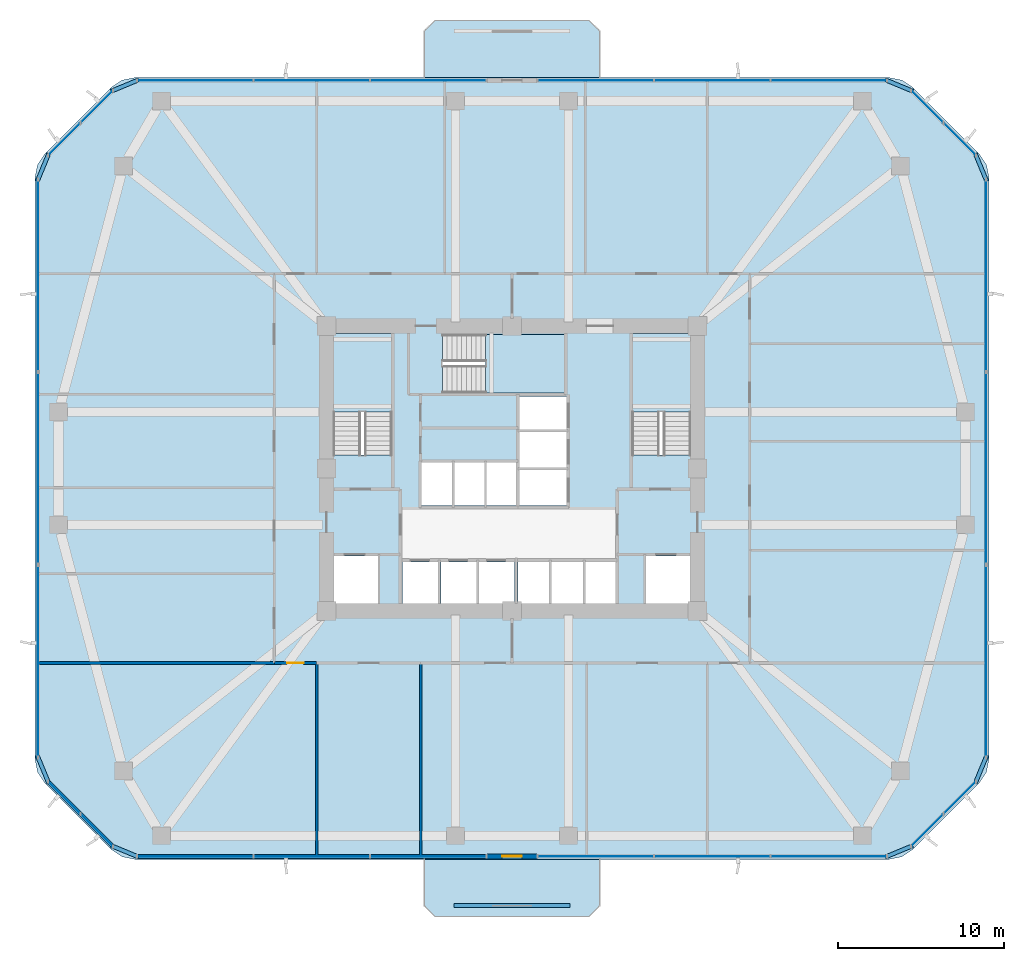
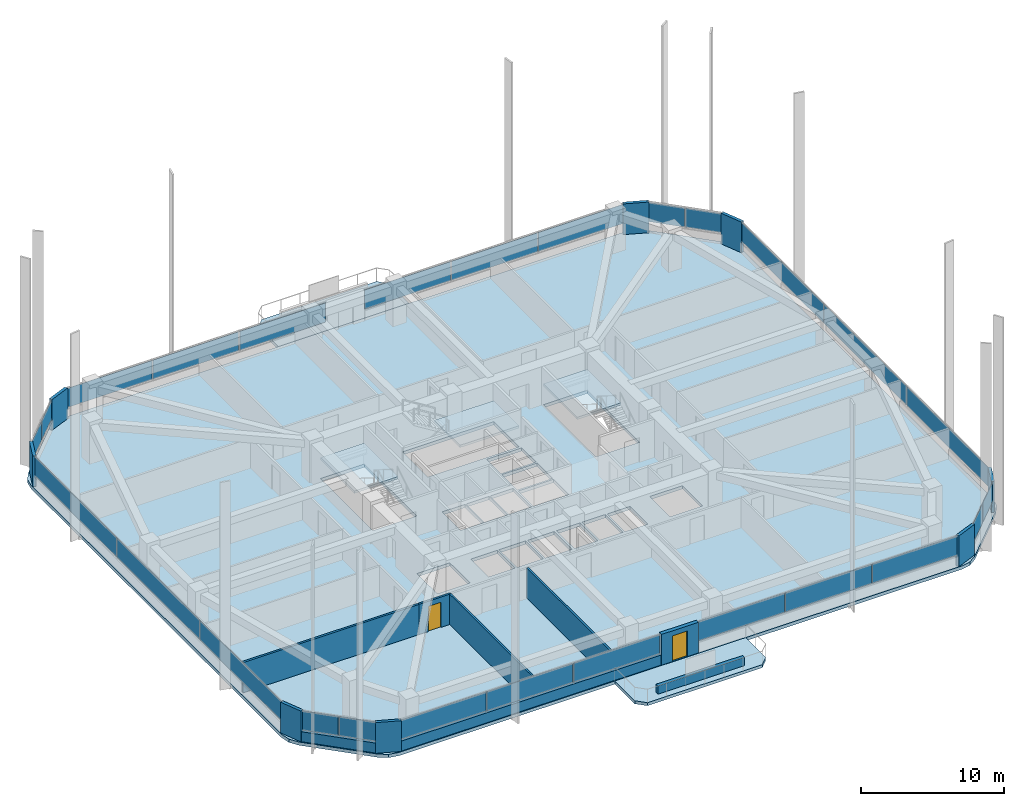
# One storey, part 8 of 17: 34 plates, 8 walls, 6 slabs, 2 doors, 2 openings, 13 elements without a shape of their own.
"""IFC4 building model written with IfcOpenShell, lengths in metres."""

from ifc_helpers import new_model, si_unit, derived_unit, direction, frame, frame_2d, origin, origin_2d, place, context, subcontext, project, spatial, polyline, rectangle, outline, extrude, material, layer, layer_set, type_object, element, fill, aggregate, save


model = new_model("IFC4")

# Units and contexts
model_context = context("Model", 3, precision=1e-05, world=origin(), true_north=direction((0.0, 1.0)))
body_context = subcontext(model_context, "Body", "Model", "MODEL_VIEW")
ifc_project = project(units=[si_unit("LENGTHUNIT", "METRE"), si_unit("AREAUNIT", "SQUARE_METRE"), si_unit("VOLUMEUNIT", "CUBIC_METRE"), si_unit("PLANEANGLEUNIT", "RADIAN"), si_unit("MASSUNIT", "GRAM", prefix="KILO"), derived_unit("THERMALTRANSMITTANCEUNIT", [(si_unit("POWERUNIT", "WATT"), 1), (si_unit("LENGTHUNIT", "METRE"), -2), (si_unit("THERMODYNAMICTEMPERATUREUNIT", "KELVIN"), -1)])], contexts=[model_context])

# Site, building, storey
site_placement = place(None, origin())
site = spatial("IfcSite", under=ifc_project, at=site_placement, CompositionType="ELEMENT")
building_placement = place(site_placement, origin())
building = spatial("IfcBuilding", under=site, at=building_placement, Name="Koralith Skygarden Medical Center", CompositionType="ELEMENT")
storey_placement = place(building_placement, frame((0.0, 0.0, 67.139892578125)))
storey = spatial("IfcBuildingStorey", under=building, at=storey_placement, Name="L17", CompositionType="ELEMENT", Elevation=67.139892578125)

# Curtain wall, plates
ifc_material_1 = material(Name="Clear Laminated Glass", Category="glass")
curtain_wall_type = type_object("IfcCurtainWallType", Name="CW-2 Zone 1 Hurricane Unitised Curtain Wall", PredefinedType="NOTDEFINED", material=ifc_material_1)
curtain_wall_1_placement = place(storey_placement, origin())
curtain_wall_1 = element("IfcCurtainWall", 1, at=curtain_wall_1_placement, inside=storey, type_object=curtain_wall_type, Name="Curtain Wall CW-L17-S-L", PredefinedType="NOTDEFINED")
ifc_layer_1 = layer(ifc_material_1, 0.031982421875)
ifc_layer_set_1 = layer_set([ifc_layer_1], Name="Clear Laminated Glass")
plate_type_1 = type_object("IfcPlateType", Name="CW-2 Hurricane Laminated IGU Panel 32", PredefinedType="CURTAIN_PANEL", material=ifc_layer_set_1)
plate_1_placement = place(storey_placement, frame((17.873046875, 2.47998046875, 0.919921875), z_axis=(0.0, 0.0, 1.0), x_axis=(1.0, 0.0, 0.0)))
plate_1 = element("IfcPlate", 2, at=plate_1_placement, type_object=plate_type_1, Name="CW-L17-S-L Glazed Panel 1", PredefinedType="CURTAIN_PANEL", context=body_context, shape_type="SweptSolid", body=[
    extrude(rectangle(XDim=6.945068359375, YDim=0.031982421875, at=origin_2d()), origin(), (0.0, 0.0, 1.0), 1.639892578125),
])
plate_2_placement = place(storey_placement, frame((24.906982421875, 2.47998046875, 0.919921875), z_axis=(0.0, 0.0, 1.0), x_axis=(1.0, 0.0, 0.0)))
plate_2 = element("IfcPlate", 3, at=plate_2_placement, type_object=plate_type_1, Name="CW-L17-S-L Glazed Panel 2", PredefinedType="CURTAIN_PANEL", context=body_context, shape_type="SweptSolid", body=[
    extrude(rectangle(XDim=6.945068359375, YDim=0.031982421875, at=origin_2d()), origin(), (0.0, 0.0, 1.0), 1.639892578125),
])
plate_3_placement = place(storey_placement, frame((31.94189453125, 2.47998046875, 0.919921875), z_axis=(0.0, 0.0, 1.0), x_axis=(1.0, 0.0, 0.0)))
plate_3 = element("IfcPlate", 4, at=plate_3_placement, type_object=plate_type_1, Name="CW-L17-S-L Glazed Panel 3", PredefinedType="CURTAIN_PANEL", context=body_context, shape_type="SweptSolid", body=[
    extrude(rectangle(XDim=6.945068359375, YDim=0.031982421875, at=origin_2d()), origin(), (0.0, 0.0, 1.0), 1.639892578125),
])
aggregate(curtain_wall_1, [plate_1, plate_2, plate_3])

curtain_wall_2_placement = place(storey_placement, origin())
curtain_wall_2 = element("IfcCurtainWall", 5, at=curtain_wall_2_placement, inside=storey, type_object=curtain_wall_type, Name="Curtain Wall CW-L17-S-R", PredefinedType="NOTDEFINED")
plate_4_placement = place(storey_placement, frame((42.056884765625, 2.47998046875, 0.919921875), z_axis=(0.0, 0.0, 1.0), x_axis=(1.0, 0.0, 0.0)))
plate_4 = element("IfcPlate", 6, at=plate_4_placement, type_object=plate_type_1, Name="CW-L17-S-R Glazed Panel 1", PredefinedType="CURTAIN_PANEL", context=body_context, shape_type="SweptSolid", body=[
    extrude(rectangle(XDim=6.945068359375, YDim=0.031982421875, at=origin_2d()), origin(), (0.0, 0.0, 1.0), 1.639892578125),
])
plate_5_placement = place(storey_placement, frame((49.093017578125, 2.47998046875, 0.919921875), z_axis=(0.0, 0.0, 1.0), x_axis=(1.0, 0.0, 0.0)))
plate_5 = element("IfcPlate", 7, at=plate_5_placement, type_object=plate_type_1, Name="CW-L17-S-R Glazed Panel 2", PredefinedType="CURTAIN_PANEL", context=body_context, shape_type="SweptSolid", body=[
    extrude(rectangle(XDim=6.945068359375, YDim=0.031982421875, at=origin_2d()), origin(), (0.0, 0.0, 1.0), 1.639892578125),
])
plate_6_placement = place(storey_placement, frame((56.126953125, 2.47998046875, 0.919921875), z_axis=(0.0, 0.0, 1.0), x_axis=(1.0, 0.0, 0.0)))
plate_6 = element("IfcPlate", 8, at=plate_6_placement, type_object=plate_type_1, Name="CW-L17-S-R Glazed Panel 3", PredefinedType="CURTAIN_PANEL", context=body_context, shape_type="SweptSolid", body=[
    extrude(rectangle(XDim=6.945068359375, YDim=0.031982421875, at=origin_2d()), origin(), (0.0, 0.0, 1.0), 1.639892578125),
])
aggregate(curtain_wall_2, [plate_4, plate_5, plate_6])

curtain_wall_3_placement = place(storey_placement, origin())
curtain_wall_3 = element("IfcCurtainWall", 9, at=curtain_wall_3_placement, inside=storey, type_object=curtain_wall_type, Name="Curtain Wall CW-L17-SE", PredefinedType="NOTDEFINED")
plate_7_placement = place(storey_placement, frame((62.076904296875, 4.06201171875, 0.919921875), z_axis=(0.0, 0.0, 1.0), x_axis=(0.707106781187, 0.707106781187, 0.0)))
plate_7 = element("IfcPlate", 10, at=plate_7_placement, type_object=plate_type_1, Name="CW-L17-SE Glazed Panel 1", PredefinedType="CURTAIN_PANEL", context=body_context, shape_type="SweptSolid", body=[
    extrude(rectangle(XDim=2.68408203125, YDim=0.031982421875, at=origin_2d()), origin(), (0.0, 0.0, 1.0), 1.639892578125),
])
plate_8_placement = place(storey_placement, frame((64.0380859375, 6.02294921875, 0.919921875), z_axis=(0.0, 0.0, 1.0), x_axis=(0.707106781187, 0.707106781187, 0.0)))
plate_8 = element("IfcPlate", 11, at=plate_8_placement, type_object=plate_type_1, Name="CW-L17-SE Glazed Panel 2", PredefinedType="CURTAIN_PANEL", context=body_context, shape_type="SweptSolid", body=[
    extrude(rectangle(XDim=2.68408203125, YDim=0.031982421875, at=origin_2d()), origin(), (0.0, 0.0, 1.0), 1.639892578125),
])
aggregate(curtain_wall_3, [plate_7, plate_8])

curtain_wall_4_placement = place(storey_placement, origin())
curtain_wall_4 = element("IfcCurtainWall", 12, at=curtain_wall_4_placement, inside=storey, type_object=curtain_wall_type, Name="Curtain Wall CW-L17-E", PredefinedType="NOTDEFINED")
plate_9_placement = place(storey_placement, frame((65.6201171875, 14.27001953125, 0.919921875), z_axis=(0.0, 0.0, 1.0), x_axis=(0.0, 1.0, 0.0)))
plate_9 = element("IfcPlate", 13, at=plate_9_placement, type_object=plate_type_1, Name="CW-L17-E Glazed Panel 1", PredefinedType="CURTAIN_PANEL", context=body_context, shape_type="SweptSolid", body=[
    extrude(rectangle(XDim=11.5400390625, YDim=0.031982421875, at=origin_2d()), origin(), (0.0, 0.0, 1.0), 1.639892578125),
])
plate_10_placement = place(storey_placement, frame((65.6201171875, 25.89990234375, 0.919921875), z_axis=(0.0, 0.0, 1.0), x_axis=(0.0, 1.0, 0.0)))
plate_10 = element("IfcPlate", 14, at=plate_10_placement, type_object=plate_type_1, Name="CW-L17-E Glazed Panel 2", PredefinedType="CURTAIN_PANEL", context=body_context, shape_type="SweptSolid", body=[
    extrude(rectangle(XDim=11.5400390625, YDim=0.031982421875, at=origin_2d()), origin(), (0.0, 0.0, 1.0), 1.639892578125),
])
plate_11_placement = place(storey_placement, frame((65.6201171875, 37.530029296875, 0.919921875), z_axis=(0.0, 0.0, 1.0), x_axis=(0.0, 1.0, 0.0)))
plate_11 = element("IfcPlate", 15, at=plate_11_placement, type_object=plate_type_1, Name="CW-L17-E Glazed Panel 3", PredefinedType="CURTAIN_PANEL", context=body_context, shape_type="SweptSolid", body=[
    extrude(rectangle(XDim=11.5400390625, YDim=0.031982421875, at=origin_2d()), origin(), (0.0, 0.0, 1.0), 1.639892578125),
])
aggregate(curtain_wall_4, [plate_9, plate_10, plate_11])

curtain_wall_5_placement = place(storey_placement, origin())
curtain_wall_5 = element("IfcCurtainWall", 16, at=curtain_wall_5_placement, inside=storey, type_object=curtain_wall_type, Name="Curtain Wall CW-L17-NE", PredefinedType="NOTDEFINED")
plate_12_placement = place(storey_placement, frame((64.0380859375, 45.777099609375, 0.919921875), z_axis=(0.0, 0.0, 1.0), x_axis=(-0.707106781187, 0.707106781187, 0.0)))
plate_12 = element("IfcPlate", 17, at=plate_12_placement, type_object=plate_type_1, Name="CW-L17-NE Glazed Panel 1", PredefinedType="CURTAIN_PANEL", context=body_context, shape_type="SweptSolid", body=[
    extrude(rectangle(XDim=2.68408203125, YDim=0.031982421875, at=origin_2d()), origin(), (0.0, 0.0, 1.0), 1.639892578125),
])
plate_13_placement = place(storey_placement, frame((62.076904296875, 47.738037109375, 0.919921875), z_axis=(0.0, 0.0, 1.0), x_axis=(-0.707106781187, 0.707106781187, 0.0)))
plate_13 = element("IfcPlate", 18, at=plate_13_placement, type_object=plate_type_1, Name="CW-L17-NE Glazed Panel 2", PredefinedType="CURTAIN_PANEL", context=body_context, shape_type="SweptSolid", body=[
    extrude(rectangle(XDim=2.68408203125, YDim=0.031982421875, at=origin_2d()), origin(), (0.0, 0.0, 1.0), 1.639892578125),
])
aggregate(curtain_wall_5, [plate_12, plate_13])

curtain_wall_6_placement = place(storey_placement, origin())
curtain_wall_6 = element("IfcCurtainWall", 19, at=curtain_wall_6_placement, inside=storey, type_object=curtain_wall_type, Name="Curtain Wall CW-L17-N-L", PredefinedType="NOTDEFINED")
plate_14_placement = place(storey_placement, frame((56.1279296875, 49.320068359375, 0.919921875), z_axis=(0.0, 0.0, 1.0), x_axis=(-1.0, 0.0, 0.0)))
plate_14 = element("IfcPlate", 20, at=plate_14_placement, type_object=plate_type_1, Name="CW-L17-N-L Glazed Panel 1", PredefinedType="CURTAIN_PANEL", context=body_context, shape_type="SweptSolid", body=[
    extrude(rectangle(XDim=6.945068359375, YDim=0.031982421875, at=origin_2d()), origin(), (0.0, 0.0, 1.0), 1.639892578125),
])
plate_15_placement = place(storey_placement, frame((49.093017578125, 49.320068359375, 0.919921875), z_axis=(0.0, 0.0, 1.0), x_axis=(-1.0, 0.0, 0.0)))
plate_15 = element("IfcPlate", 21, at=plate_15_placement, type_object=plate_type_1, Name="CW-L17-N-L Glazed Panel 2", PredefinedType="CURTAIN_PANEL", context=body_context, shape_type="SweptSolid", body=[
    extrude(rectangle(XDim=6.945068359375, YDim=0.031982421875, at=origin_2d()), origin(), (0.0, 0.0, 1.0), 1.639892578125),
])
plate_16_placement = place(storey_placement, frame((42.05810546875, 49.320068359375, 0.919921875), z_axis=(0.0, 0.0, 1.0), x_axis=(-1.0, 0.0, 0.0)))
plate_16 = element("IfcPlate", 22, at=plate_16_placement, type_object=plate_type_1, Name="CW-L17-N-L Glazed Panel 3", PredefinedType="CURTAIN_PANEL", context=body_context, shape_type="SweptSolid", body=[
    extrude(rectangle(XDim=6.945068359375, YDim=0.031982421875, at=origin_2d()), origin(), (0.0, 0.0, 1.0), 1.639892578125),
])
aggregate(curtain_wall_6, [plate_14, plate_15, plate_16])

curtain_wall_7_placement = place(storey_placement, origin())
curtain_wall_7 = element("IfcCurtainWall", 23, at=curtain_wall_7_placement, inside=storey, type_object=curtain_wall_type, Name="Curtain Wall CW-L17-N-R", PredefinedType="NOTDEFINED")
plate_17_placement = place(storey_placement, frame((31.943115234375, 49.320068359375, 0.919921875), z_axis=(0.0, 0.0, 1.0), x_axis=(-1.0, 0.0, 0.0)))
plate_17 = element("IfcPlate", 24, at=plate_17_placement, type_object=plate_type_1, Name="CW-L17-N-R Glazed Panel 1", PredefinedType="CURTAIN_PANEL", context=body_context, shape_type="SweptSolid", body=[
    extrude(rectangle(XDim=6.945068359375, YDim=0.031982421875, at=origin_2d()), origin(), (0.0, 0.0, 1.0), 1.639892578125),
])
plate_18_placement = place(storey_placement, frame((24.906982421875, 49.320068359375, 0.919921875), z_axis=(0.0, 0.0, 1.0), x_axis=(-1.0, 0.0, 0.0)))
plate_18 = element("IfcPlate", 25, at=plate_18_placement, type_object=plate_type_1, Name="CW-L17-N-R Glazed Panel 2", PredefinedType="CURTAIN_PANEL", context=body_context, shape_type="SweptSolid", body=[
    extrude(rectangle(XDim=6.945068359375, YDim=0.031982421875, at=origin_2d()), origin(), (0.0, 0.0, 1.0), 1.639892578125),
])
plate_19_placement = place(storey_placement, frame((17.873046875, 49.320068359375, 0.919921875), z_axis=(0.0, 0.0, 1.0), x_axis=(-1.0, 0.0, 0.0)))
plate_19 = element("IfcPlate", 26, at=plate_19_placement, type_object=plate_type_1, Name="CW-L17-N-R Glazed Panel 3", PredefinedType="CURTAIN_PANEL", context=body_context, shape_type="SweptSolid", body=[
    extrude(rectangle(XDim=6.945068359375, YDim=0.031982421875, at=origin_2d()), origin(), (0.0, 0.0, 1.0), 1.639892578125),
])
aggregate(curtain_wall_7, [plate_17, plate_18, plate_19])

curtain_wall_8_placement = place(storey_placement, origin())
curtain_wall_8 = element("IfcCurtainWall", 27, at=curtain_wall_8_placement, inside=storey, type_object=curtain_wall_type, Name="Curtain Wall CW-L17-NW", PredefinedType="NOTDEFINED")
plate_20_placement = place(storey_placement, frame((11.923095703125, 47.738037109375, 0.919921875), z_axis=(0.0, 0.0, 1.0), x_axis=(-0.707106781187, -0.707106781187, 0.0)))
plate_20 = element("IfcPlate", 28, at=plate_20_placement, type_object=plate_type_1, Name="CW-L17-NW Glazed Panel 1", PredefinedType="CURTAIN_PANEL", context=body_context, shape_type="SweptSolid", body=[
    extrude(rectangle(XDim=2.68408203125, YDim=0.031982421875, at=origin_2d()), origin(), (0.0, 0.0, 1.0), 1.639892578125),
])
plate_21_placement = place(storey_placement, frame((9.9619140625, 45.777099609375, 0.919921875), z_axis=(0.0, 0.0, 1.0), x_axis=(-0.707106781187, -0.707106781187, 0.0)))
plate_21 = element("IfcPlate", 29, at=plate_21_placement, type_object=plate_type_1, Name="CW-L17-NW Glazed Panel 2", PredefinedType="CURTAIN_PANEL", context=body_context, shape_type="SweptSolid", body=[
    extrude(rectangle(XDim=2.68408203125, YDim=0.031982421875, at=origin_2d()), origin(), (0.0, 0.0, 1.0), 1.639892578125),
])
aggregate(curtain_wall_8, [plate_20, plate_21])

curtain_wall_9_placement = place(storey_placement, origin())
curtain_wall_9 = element("IfcCurtainWall", 30, at=curtain_wall_9_placement, inside=storey, type_object=curtain_wall_type, Name="Curtain Wall CW-L17-W", PredefinedType="NOTDEFINED")
plate_22_placement = place(storey_placement, frame((8.3798828125, 37.530029296875, 0.919921875), z_axis=(0.0, 0.0, 1.0), x_axis=(0.0, -1.0, 0.0)))
plate_22 = element("IfcPlate", 31, at=plate_22_placement, type_object=plate_type_1, Name="CW-L17-W Glazed Panel 1", PredefinedType="CURTAIN_PANEL", context=body_context, shape_type="SweptSolid", body=[
    extrude(rectangle(XDim=11.5400390625, YDim=0.031982421875, at=origin_2d()), origin(), (0.0, 0.0, 1.0), 1.639892578125),
])
plate_23_placement = place(storey_placement, frame((8.3798828125, 25.89990234375, 0.919921875), z_axis=(0.0, 0.0, 1.0), x_axis=(0.0, -1.0, 0.0)))
plate_23 = element("IfcPlate", 32, at=plate_23_placement, type_object=plate_type_1, Name="CW-L17-W Glazed Panel 2", PredefinedType="CURTAIN_PANEL", context=body_context, shape_type="SweptSolid", body=[
    extrude(rectangle(XDim=11.5400390625, YDim=0.031982421875, at=origin_2d()), origin(), (0.0, 0.0, 1.0), 1.639892578125),
])
plate_24_placement = place(storey_placement, frame((8.3798828125, 14.27001953125, 0.919921875), z_axis=(0.0, 0.0, 1.0), x_axis=(0.0, -1.0, 0.0)))
plate_24 = element("IfcPlate", 33, at=plate_24_placement, type_object=plate_type_1, Name="CW-L17-W Glazed Panel 3", PredefinedType="CURTAIN_PANEL", context=body_context, shape_type="SweptSolid", body=[
    extrude(rectangle(XDim=11.5400390625, YDim=0.031982421875, at=origin_2d()), origin(), (0.0, 0.0, 1.0), 1.639892578125),
])
aggregate(curtain_wall_9, [plate_22, plate_23, plate_24])

curtain_wall_10_placement = place(storey_placement, origin())
curtain_wall_10 = element("IfcCurtainWall", 34, at=curtain_wall_10_placement, inside=storey, type_object=curtain_wall_type, Name="Curtain Wall CW-L17-SW", PredefinedType="NOTDEFINED")
plate_25_placement = place(storey_placement, frame((9.9619140625, 6.02294921875, 0.919921875), z_axis=(0.0, 0.0, 1.0), x_axis=(0.707106781187, -0.707106781187, 0.0)))
plate_25 = element("IfcPlate", 35, at=plate_25_placement, type_object=plate_type_1, Name="CW-L17-SW Glazed Panel 1", PredefinedType="CURTAIN_PANEL", context=body_context, shape_type="SweptSolid", body=[
    extrude(rectangle(XDim=2.68408203125, YDim=0.031982421875, at=origin_2d()), origin(), (0.0, 0.0, 1.0), 1.639892578125),
])
plate_26_placement = place(storey_placement, frame((11.923095703125, 4.06201171875, 0.919921875), z_axis=(0.0, 0.0, 1.0), x_axis=(0.707106781187, -0.707106781187, 0.0)))
plate_26 = element("IfcPlate", 36, at=plate_26_placement, type_object=plate_type_1, Name="CW-L17-SW Glazed Panel 2", PredefinedType="CURTAIN_PANEL", context=body_context, shape_type="SweptSolid", body=[
    extrude(rectangle(XDim=2.68408203125, YDim=0.031982421875, at=origin_2d()), origin(), (0.0, 0.0, 1.0), 1.639892578125),
])
aggregate(curtain_wall_10, [plate_25, plate_26])

# Slabs
ifc_material_2 = material(Name="Concrete C45/55", Category="concrete")
ifc_layer_2 = layer(ifc_material_2, 0.260009765625)
ifc_layer_set_2 = layer_set([ifc_layer_2], Name="Concrete C45/55")
slab_type_1 = type_object("IfcSlabType", Name="Cantilevered Planted Balcony Slab 260", PredefinedType="FLOOR", material=ifc_layer_set_2)
slab_1_placement = place(storey_placement, frame((0.0, 0.0, -0.260009765625)))
element("IfcSlab", 37, at=slab_1_placement, inside=storey, type_object=slab_type_1, Name="L17 N Planted Sky-Garden Balcony Slab", PredefinedType="FLOOR", context=body_context, shape_type="SweptSolid", body=[
    extrude(outline(polyline([(31.699951171875, 49.5), (42.300048828125, 49.5), (42.300048828125, 52.300048828125), (41.64990234375, 52.949951171875), (32.35009765625, 52.949951171875), (31.699951171875, 52.300048828125), (31.699951171875, 49.5)])), origin(), (0.0, 0.0, 1.0), 0.260009765625),
])
slab_2_placement = place(storey_placement, frame((0.0, 0.0, -0.260009765625)))
element("IfcSlab", 38, at=slab_2_placement, inside=storey, type_object=slab_type_1, Name="L17 S Planted Sky-Garden Balcony Slab", PredefinedType="FLOOR", context=body_context, shape_type="SweptSolid", body=[
    extrude(outline(polyline([(32.35009765625, -1.14990234375), (41.64990234375, -1.14990234375), (42.300048828125, -0.5), (42.300048828125, 2.300048828125), (31.699951171875, 2.300048828125), (31.699951171875, -0.5), (32.35009765625, -1.14990234375)])), origin(), (0.0, 0.0, 1.0), 0.260009765625),
])

# Stair, slab
stair_type = type_object("IfcStairType", Name="Core Exit Dogleg Concrete Stair", PredefinedType="HALF_TURN_STAIR", material=ifc_material_2)
stair_1_placement = place(storey_placement, origin())
stair_1 = element("IfcStair", 39, at=stair_1_placement, inside=storey, type_object=stair_type, Name="L17 Smokeproof Exit Stair ST1", PredefinedType="HALF_TURN_STAIR")
ifc_layer_3 = layer(ifc_material_2, 0.199951171875)
ifc_layer_set_3 = layer_set([ifc_layer_3], Name="Concrete C45/55")
slab_type_2 = type_object("IfcSlabType", Name="Core Exit Concrete Stair Landing 200", PredefinedType="LANDING", material=ifc_layer_set_3)
slab_3_placement = place(storey_placement, frame((0.0, 0.0, 1.60009765625)))
slab_3 = element("IfcSlab", 40, at=slab_3_placement, type_object=slab_type_2, Name="ST1 landing 1", PredefinedType="LANDING", context=body_context, shape_type="SweptSolid", body=[
    extrude(outline(polyline([(29.75, 29.31005859375), (29.75, 34.050048828125), (26.199951171875, 34.050048828125), (26.199951171875, 29.31005859375), (29.75, 29.31005859375)])), origin(), (0.0, 0.0, 1.0), 0.199951171875),
])
aggregate(stair_1, [slab_3])

stair_2_placement = place(storey_placement, origin())
stair_2 = element("IfcStair", 41, at=stair_2_placement, inside=storey, type_object=stair_type, Name="L17 Smokeproof Exit Stair ST2", PredefinedType="HALF_TURN_STAIR")
slab_4_placement = place(storey_placement, frame((0.0, 0.0, 1.60009765625)))
slab_4 = element("IfcSlab", 42, at=slab_4_placement, type_object=slab_type_2, Name="ST2 landing 1", PredefinedType="LANDING", context=body_context, shape_type="SweptSolid", body=[
    extrude(outline(polyline([(47.800048828125, 29.31005859375), (47.800048828125, 34.050048828125), (44.25, 34.050048828125), (44.25, 29.31005859375), (47.800048828125, 29.31005859375)])), origin(), (0.0, 0.0, 1.0), 0.199951171875),
])
aggregate(stair_2, [slab_4])

stair_3_placement = place(storey_placement, origin())
stair_3 = element("IfcStair", 43, at=stair_3_placement, inside=storey, type_object=stair_type, Name="L17 Smokeproof Exit Stair ST3", PredefinedType="HALF_TURN_STAIR")
slab_5_placement = place(storey_placement, frame((0.0, 0.0, 1.60009765625)))
slab_5 = element("IfcSlab", 44, at=slab_5_placement, type_object=slab_type_2, Name="ST3 landing 1", PredefinedType="LANDING", context=body_context, shape_type="SweptSolid", body=[
    extrude(outline(polyline([(35.409912109375, 30.449951171875), (40.199951171875, 30.449951171875), (40.199951171875, 34.0), (35.409912109375, 34.0), (35.409912109375, 30.449951171875)])), origin(), (0.0, 0.0, 1.0), 0.199951171875),
])
aggregate(stair_3, [slab_5])

# Slab
ifc_layer_4 = layer(ifc_material_2, 0.280029296875)
ifc_layer_set_4 = layer_set([ifc_layer_4], Name="Concrete C45/55")
slab_type_3 = type_object("IfcSlabType", Name="Post-Tensioned Ward Floor Plate 280", PredefinedType="FLOOR", material=ifc_layer_set_4)
slab_6_placement = place(storey_placement, frame((0.0, 0.0, -0.27978515625)))
element("IfcSlab", 45, at=slab_6_placement, inside=storey, type_object=slab_type_3, Name="Level L17 Structural Floor Slab", PredefinedType="FLOOR", context=body_context, shape_type="SweptSolid", body=[
    extrude(outline(polyline([(12.81396484375, 2.885986328125), (13.462890625, 2.451904296875), (14.22802734375, 2.300048828125), (59.77197265625, 2.300048828125), (60.537109375, 2.451904296875), (61.18603515625, 2.885986328125), (65.214111328125, 6.9140625), (65.64794921875, 7.56298828125), (65.800048828125, 8.327880859375), (65.800048828125, 43.471923828125), (65.64794921875, 44.237060546875), (65.214111328125, 44.885986328125), (61.18603515625, 48.9140625), (60.537109375, 49.347900390625), (59.77197265625, 49.5), (14.22802734375, 49.5), (13.462890625, 49.347900390625), (12.81396484375, 48.9140625), (8.785888671875, 44.885986328125), (8.35205078125, 44.237060546875), (8.199951171875, 43.471923828125), (8.199951171875, 8.327880859375), (8.35205078125, 7.56298828125), (8.785888671875, 6.9140625), (12.81396484375, 2.885986328125)]), holes=[polyline([(26.199951171875, 26.705078125), (29.75, 26.705078125), (29.75, 34.050048828125), (26.199951171875, 34.050048828125), (26.199951171875, 26.705078125)]), polyline([(44.25, 26.705078125), (47.800048828125, 26.705078125), (47.800048828125, 34.050048828125), (44.25, 34.050048828125), (44.25, 26.705078125)]), polyline([(32.804931640625, 30.449951171875), (40.199951171875, 30.449951171875), (40.199951171875, 34.0), (32.804931640625, 34.0), (32.804931640625, 30.449951171875)]), polyline([(26.25, 17.75), (28.89990234375, 17.75), (28.89990234375, 20.60009765625), (26.25, 20.60009765625), (26.25, 17.75)]), polyline([(45.10009765625, 17.75), (47.75, 17.75), (47.75, 20.60009765625), (45.10009765625, 20.60009765625), (45.10009765625, 17.75)]), polyline([(30.39990234375, 17.75), (32.550048828125, 17.75), (32.550048828125, 20.25), (30.39990234375, 20.25), (30.39990234375, 17.75)]), polyline([(32.699951171875, 17.75), (34.85009765625, 17.75), (34.85009765625, 20.25), (32.699951171875, 20.25), (32.699951171875, 17.75)]), polyline([(35.0, 17.75), (37.14990234375, 17.75), (37.14990234375, 20.25), (35.0, 20.25), (35.0, 17.75)]), polyline([(37.35009765625, 17.75), (39.25, 17.75), (39.25, 20.25), (37.35009765625, 20.25), (37.35009765625, 17.75)]), polyline([(39.39990234375, 17.75), (41.300048828125, 17.75), (41.300048828125, 20.25), (39.39990234375, 20.25), (39.39990234375, 17.75)]), polyline([(41.449951171875, 17.75), (43.300048828125, 17.75), (43.300048828125, 20.25), (41.449951171875, 20.25), (41.449951171875, 17.75)]), polyline([(31.550048828125, 23.64990234375), (33.39990234375, 23.64990234375), (33.39990234375, 26.25), (31.550048828125, 26.25), (31.550048828125, 23.64990234375)]), polyline([(33.5, 23.64990234375), (35.35009765625, 23.64990234375), (35.35009765625, 26.25), (33.5, 26.25), (33.5, 23.64990234375)]), polyline([(35.449951171875, 23.64990234375), (37.300048828125, 23.64990234375), (37.300048828125, 26.25), (35.449951171875, 26.25), (35.449951171875, 23.64990234375)]), polyline([(37.449951171875, 23.64990234375), (40.300048828125, 23.64990234375), (40.300048828125, 25.800048828125), (37.449951171875, 25.800048828125), (37.449951171875, 23.64990234375)]), polyline([(37.449951171875, 25.949951171875), (40.300048828125, 25.949951171875), (40.300048828125, 28.10009765625), (37.449951171875, 28.10009765625), (37.449951171875, 25.949951171875)]), polyline([(37.449951171875, 28.25), (40.300048828125, 28.25), (40.300048828125, 30.25), (37.449951171875, 30.25), (37.449951171875, 28.25)])]), origin(), (0.0, 0.0, 1.0), 0.27978515625),
])

# Plates
ifc_material_3 = material(Name="Warm Oolitic Limestone Cladding", Category="masonry")
ifc_layer_5 = layer(ifc_material_3, 0.239990234375)
ifc_layer_set_5 = layer_set([ifc_layer_5], Name="Warm Oolitic Limestone Cladding")
plate_type_2 = type_object("IfcPlateType", Name="Rounded-Corner Oolitic Limestone Cladding Panel 240", PredefinedType="USERDEFINED", material=ifc_layer_set_5)
for number, where, z_axis, x_axis, name in (
    (46, (60.3701171875, 2.780029296875, 0.000244140625), (0.0, 0.0, 1.0), (0.92388487569, 0.382670532536, 0.0), "L17 Rounded-Corner Limestone Pier 1"),
    (47, (65.320068359375, 7.72900390625, 0.000244140625), (0.0, 0.0, 1.0), (0.382670532536, 0.92388487569, 0.0), "L17 Rounded-Corner Limestone Pier 2"),
    (48, (65.320068359375, 44.070068359375, 0.000244140625), (0.0, 0.0, 1.0), (-0.382670532536, 0.92388487569, 0.0), "L17 Rounded-Corner Limestone Pier 3"),
    (49, (60.3701171875, 49.02001953125, 0.000244140625), (0.0, 0.0, 1.0), (-0.92388487569, 0.382670532536, 0.0), "L17 Rounded-Corner Limestone Pier 4"),
    (50, (13.6298828125, 49.02001953125, 0.000244140625), (0.0, 0.0, 1.0), (-0.92388487569, -0.382670532536, 0.0), "L17 Rounded-Corner Limestone Pier 5"),
    (51, (8.680908203125, 44.070068359375, 0.000244140625), (0.0, 0.0, 1.0), (-0.382670532536, -0.92388487569, 0.0), "L17 Rounded-Corner Limestone Pier 6"),
    (52, (8.680908203125, 7.72900390625, 0.000244140625), (0.0, 0.0, 1.0), (0.382670532536, -0.92388487569, 0.0), "L17 Rounded-Corner Limestone Pier 7"),
    (53, (13.6298828125, 2.780029296875, 0.000244140625), (0.0, 0.0, 1.0), (0.92388487569, -0.382670532536, 0.0), "L17 Rounded-Corner Limestone Pier 8"),
):
    element("IfcPlate", number, at=place(storey_placement, frame(where, z_axis=z_axis, x_axis=x_axis)), inside=storey, type_object=plate_type_2, Name=name, ObjectType="LIMESTONE CLADDING", PredefinedType="USERDEFINED", context=body_context, shape_type="SweptSolid", body=[
        extrude(rectangle(XDim=1.81103515625, YDim=0.239990234375, at=origin_2d()), origin(), (0.0, 0.0, 1.0), 2.6298828125),
    ])

# Walls
ifc_material_4 = material(Name="Gypsum Board Partition")
ifc_layer_6 = layer(ifc_material_4, 0.14990234375)
ifc_layer_set_6 = layer_set([ifc_layer_6], Name="Gypsum Board Partition")
wall_type_1 = type_object("IfcWallType", Name="Clinical Acoustic Partition 150", PredefinedType="PARTITIONING", material=ifc_layer_set_6)
for number, where, z_axis, x_axis, name in (
    (54, (25.199951171875, 14.14990234375, 0.0), (0.0, 0.0, 1.0), (0.0, -1.0, 0.0), "L17 Clinical Acoustic Partition 150 W-PART-L17-S-01"),
    (55, (31.48388671875, 14.14990234375, 0.0), (0.0, 0.0, 1.0), (0.0, -1.0, 0.0), "L17 Clinical Acoustic Partition 150 W-PART-L17-S-02"),
):
    element("IfcWall", number, at=place(storey_placement, frame(where, z_axis=z_axis, x_axis=x_axis)), inside=storey, type_object=wall_type_1, Name=name, PredefinedType="PARTITIONING", context=body_context, shape_type="SweptSolid", body=[
        extrude(rectangle(XDim=11.64990234375, YDim=0.14990234375, at=frame_2d((5.824951171875, 0.0))), origin(), (0.0, 0.0, 1.0), 2.590087890625),
    ])
ifc_layer_7 = layer(ifc_material_4, 0.1650390625)
ifc_layer_set_7 = layer_set([ifc_layer_7], Name="Gypsum Board Partition")
wall_type_2 = type_object("IfcWallType", Name="Clinical Corridor Partition 165", PredefinedType="PARTITIONING", material=ifc_layer_set_7)
wall_1_placement = place(storey_placement, frame((8.39990234375, 14.14990234375, 0.0), z_axis=(0.0, 0.0, 1.0), x_axis=(1.0, 0.0, 0.0)))
element("IfcWall", 56, at=wall_1_placement, inside=storey, type_object=wall_type_2, Name="L17 Clinical Corridor Partition 165 W-WB-L17-SW", PredefinedType="PARTITIONING", context=body_context, shape_type="SweptSolid", body=[
    extrude(rectangle(XDim=14.25, YDim=0.1650390625, at=frame_2d((7.125, 0.0))), origin(), (0.0, 0.0, 1.0), 2.590087890625),
])

# Wall, opening, door
wall_2_placement = place(storey_placement, frame((22.64990234375, 14.14990234375, 0.0), z_axis=(0.0, 0.0, 1.0), x_axis=(1.0, 0.0, 0.0)))
wall_2 = element("IfcWall", 57, at=wall_2_placement, inside=storey, type_object=wall_type_2, Name="L17 Clinical Corridor Partition 165 W-CORR-L17-S-01", PredefinedType="PARTITIONING", context=body_context, shape_type="SweptSolid", body=[
    extrude(rectangle(XDim=2.550048828125, YDim=0.1650390625, at=frame_2d((1.27490234375, 0.0))), origin(), (0.0, 0.0, 1.0), 2.590087890625),
])
opening_1_placement = place(wall_2_placement, frame((0.77490234375, 0.0, 0.0)))
opening_1 = element("IfcOpeningElement", 58, at=opening_1_placement, cuts=wall_2, Name="Opening D-SUP", PredefinedType="OPENING", context=body_context, shape_type="SweptSolid", body=[
    extrude(rectangle(XDim=1.0, YDim=2.14990234375, at=frame_2d((0.5, 1.074951171875))), frame((0.0, 0.092529296875, 0.0), z_axis=(0.0, -1.0, 0.0), x_axis=(1.0, 0.0, 0.0)), (0.0, 0.0, 1.0), 0.18505859375),
])
ifc_material_5 = material(Name="Aluminium 6063-T6", Category="aluminium")
door_type_1 = type_object("IfcDoorType", Name="Clinical Support Door D-SUP 1000", OperationType="NOTDEFINED", PredefinedType="DOOR", material=ifc_material_5)
door_1_placement = place(opening_1_placement, frame((1.0, 0.0, 0.0), z_axis=(0.0, 0.0, 1.0), x_axis=(-1.0, 0.0, 0.0)))
door_1 = element("IfcDoor", 59, at=door_1_placement, inside=storey, type_object=door_type_1, Name="L17 Neurology Consultation Office 06 Door", OperationType="SINGLE_SWING_LEFT", OverallHeight=2.14990234375, OverallWidth=1.0, PredefinedType="DOOR", context=body_context, shape_type="SweptSolid", body=[
    extrude(rectangle(XDim=1.0, YDim=2.14990234375, at=frame_2d((0.5, 1.074951171875))), frame((0.0, 0.02490234375, 0.0), z_axis=(0.0, -1.0, 0.0), x_axis=(1.0, 0.0, 0.0)), (0.0, 0.0, 1.0), 0.050048828125),
])
fill(opening_1, door_1)

# Walls
ifc_layer_8 = layer(ifc_material_3, 0.239990234375)
ifc_layer_set_8 = layer_set([ifc_layer_8], Name="Warm Oolitic Limestone Cladding")
wall_type_3 = type_object("IfcWallType", Name="Limestone Spandrel Sill Backup Wall 240", PredefinedType="SOLIDWALL", material=ifc_layer_set_8)
wall_3_placement = place(storey_placement, frame((14.35498046875, 2.47998046875, 0.0), z_axis=(0.0, 0.0, 1.0), x_axis=(1.0, 0.0, 0.0)))
element("IfcWall", 60, at=wall_3_placement, inside=storey, type_object=wall_type_3, Name="L17 Sill Spandrel S-L", PredefinedType="SOLIDWALL", context=body_context, shape_type="SweptSolid", body=[
    extrude(rectangle(XDim=21.10498046875, YDim=0.239990234375, at=frame_2d((10.552490234375, 0.0))), origin(), (0.0, 0.0, 1.0), 0.85009765625),
])
wall_4_placement = place(storey_placement, frame((8.98095703125, 7.00390625, 0.0), z_axis=(0.0, 0.0, 1.0), x_axis=(0.707128783731, -0.707084777957, 0.0)))
element("IfcWall", 61, at=wall_4_placement, inside=storey, type_object=wall_type_3, Name="L17 Sill Spandrel SW", PredefinedType="SOLIDWALL", context=body_context, shape_type="SweptSolid", body=[
    extrude(rectangle(XDim=5.5478515625, YDim=0.239990234375, at=frame_2d((2.77392578125, 0.0))), origin(), (0.0, 0.0, 1.0), 0.85009765625),
])

# Wall, opening, door
ifc_layer_9 = layer(ifc_material_3, 0.300048828125)
ifc_layer_set_9 = layer_set([ifc_layer_9], Name="Warm Oolitic Limestone Cladding")
wall_type_4 = type_object("IfcWallType", Name="Oolitic Limestone Insulated Facade Wall 300", PredefinedType="SOLIDWALL", material=ifc_layer_set_9)
wall_5_placement = place(storey_placement, frame((35.5, 2.47998046875, 0.0), z_axis=(0.0, 0.0, 1.0), x_axis=(1.0, 0.0, 0.0)))
wall_5 = element("IfcWall", 62, at=wall_5_placement, inside=storey, type_object=wall_type_4, Name="L17 Terrace Portal Wall S", PredefinedType="SOLIDWALL", context=body_context, shape_type="SweptSolid", body=[
    extrude(rectangle(XDim=3.0, YDim=0.300048828125, at=frame_2d((1.5, 0.0))), origin(), (0.0, 0.0, 1.0), 2.630126953125),
])
opening_2_placement = place(wall_5_placement, frame((0.89990234375, 0.0, 0.0)))
opening_2 = element("IfcOpeningElement", 63, at=opening_2_placement, cuts=wall_5, Name="Opening D-BAL", PredefinedType="OPENING", context=body_context, shape_type="SweptSolid", body=[
    extrude(rectangle(XDim=1.199951171875, YDim=2.199951171875, at=frame_2d((0.60009765625, 1.10009765625))), frame((0.0, 0.159912109375, 0.0), z_axis=(0.0, -1.0, 0.0), x_axis=(1.0, 0.0, 0.0)), (0.0, 0.0, 1.0), 0.320068359375),
])
door_type_2 = type_object("IfcDoorType", Name="Planted Balcony Glazed Terrace Door D-BAL 1200", OperationType="NOTDEFINED", PredefinedType="DOOR", material=ifc_material_5)
door_2_placement = place(opening_2_placement, origin())
door_2 = element("IfcDoor", 64, at=door_2_placement, inside=storey, type_object=door_type_2, Name="L17 S Outdoor Terrace Access Door", OperationType="SINGLE_SWING_RIGHT", OverallHeight=2.199951171875, OverallWidth=1.199951171875, PredefinedType="DOOR", context=body_context, shape_type="SweptSolid", body=[
    extrude(rectangle(XDim=1.199951171875, YDim=2.199951171875, at=frame_2d((0.60009765625, 1.10009765625))), frame((0.0, 0.02490234375, 0.0), z_axis=(0.0, -1.0, 0.0), x_axis=(1.0, 0.0, 0.0)), (0.0, 0.0, 1.0), 0.050048828125),
])
fill(opening_2, door_2)

# Wall
ifc_material_6 = material(Name="Precast concrete C40/50", Category="concrete")
ifc_layer_10 = layer(ifc_material_6, 0.25)
ifc_layer_set_10 = layer_set([ifc_layer_10], Name="Precast concrete C40/50")
wall_type_5 = type_object("IfcWallType", Name="Structural Concrete Balcony Planter Kerb 250", PredefinedType="PARAPET", material=ifc_layer_set_10)
wall_6_placement = place(storey_placement, frame((33.5, -0.5, 0.0), z_axis=(0.0, 0.0, 1.0), x_axis=(1.0, 0.0, 0.0)))
element("IfcWall", 65, at=wall_6_placement, inside=storey, type_object=wall_type_5, Name="L17 S Structural Tree PLANTER Box", PredefinedType="PARAPET", context=body_context, shape_type="SweptSolid", body=[
    extrude(rectangle(XDim=7.0, YDim=0.25, at=frame_2d((3.5, 0.0))), origin(), (0.0, 0.0, 1.0), 0.72021484375),
])

save(model, "model.ifc")
